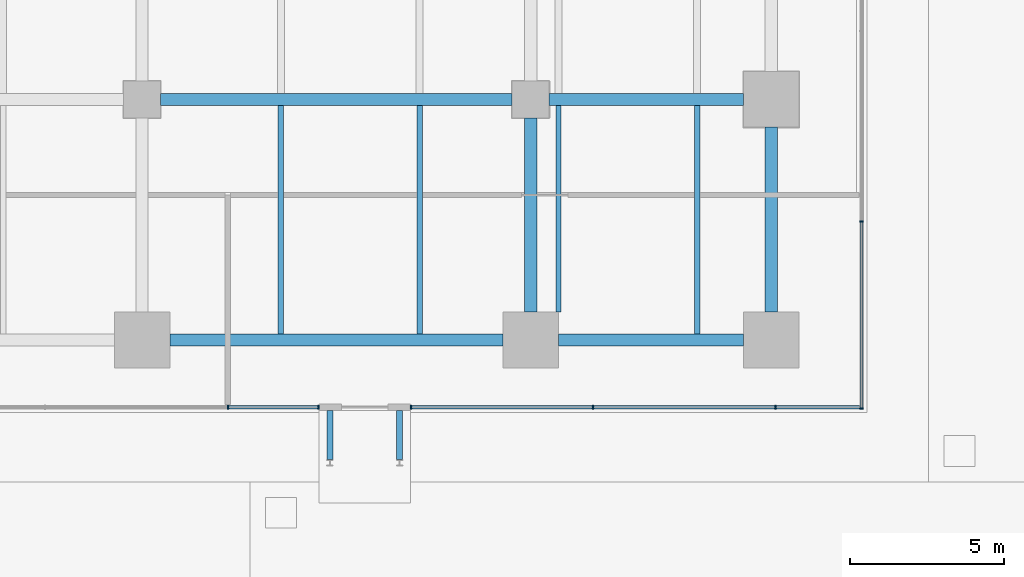
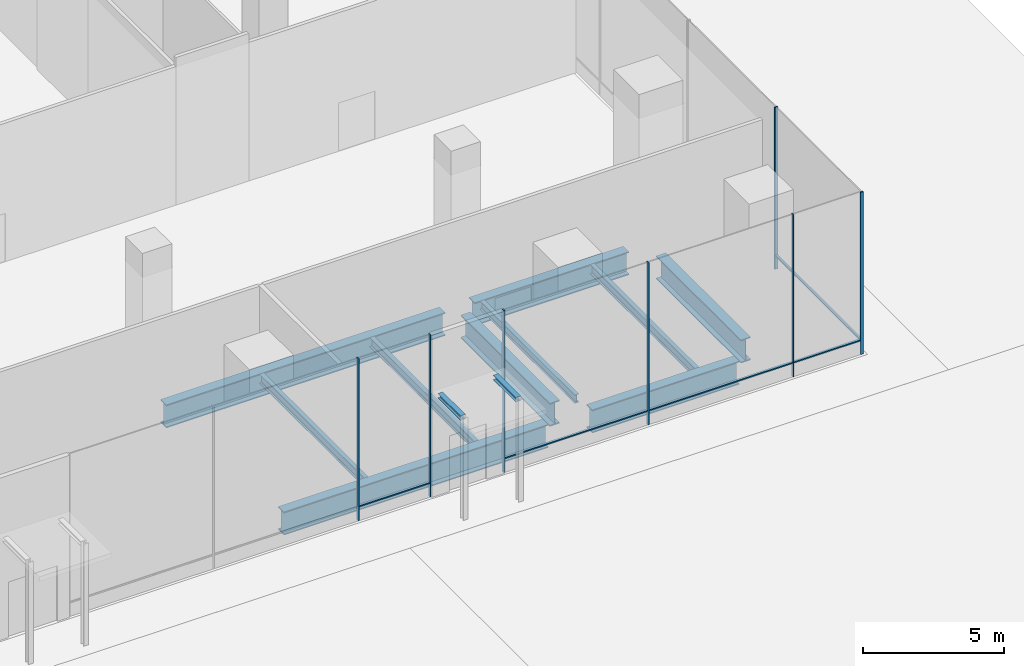
# One storey, part 18 of 41: 12 beams, 12 members, 3 elements without a shape of their own.
"""IFC4 building model written with IfcOpenShell, lengths in metres."""

from ifc_helpers import new_model, si_unit, direction, frame, origin, origin_2d, place, context, subcontext, project, spatial, rectangle, i_section, extrude, material, layer, layer_set, material_profile, profile_set, type_object, element, aggregate, save


model = new_model("IFC4")

# Units and contexts
model_context = context("Model", 3, precision=1e-05, world=origin(), true_north=direction((0.0, 1.0)))
body_context = subcontext(model_context, "Body", "Model", "MODEL_VIEW")
ifc_project = project(units=[si_unit("LENGTHUNIT", "METRE"), si_unit("AREAUNIT", "SQUARE_METRE"), si_unit("VOLUMEUNIT", "CUBIC_METRE"), si_unit("PLANEANGLEUNIT", "RADIAN"), si_unit("MASSUNIT", "GRAM", prefix="KILO")], contexts=[model_context])

# Site, building, storey
site_placement = place(None, origin())
site = spatial("IfcSite", under=ifc_project, at=site_placement, CompositionType="ELEMENT")
building_placement = place(site_placement, origin())
building = spatial("IfcBuilding", under=site, at=building_placement, Name="Rattan Terrace Tower", CompositionType="ELEMENT")
storey_placement = place(building_placement, origin())
storey = spatial("IfcBuildingStorey", under=building, at=storey_placement, Name="L00", CompositionType="ELEMENT", Elevation=0.0)

# Beams
ifc_material_1 = material(Name="Structural steel S355", Category="steel")
ifc_material_profile_1 = material_profile(ifc_material_1, i_section(OverallWidth=0.199951171875, OverallDepth=0.199951171875, WebThickness=0.009033203125, FlangeThickness=0.014892578125, FilletRadius=0.01806640625, at=origin_2d()), Name="HE 200 B")
ifc_profile_set_1 = profile_set([ifc_material_profile_1], Name="Structural steel S355")
beam_type_1 = type_object("IfcBeamType", Name="Canopy beam HE 200 B", PredefinedType="BEAM", material=ifc_profile_set_1)
for number, where, z_axis, x_axis, name in (
    (1, (19.590087890625, -37.179931640625, 4.300048828125), (0.0, -1.0, 0.0), (1.0, 0.0, 0.0), "Canopy beam 061a"),
    (2, (21.85009765625, -37.179931640625, 4.300048828125), (0.0, -1.0, 0.0), (1.0, 0.0, 0.0), "Canopy beam 061b"),
):
    element("IfcBeam", number, at=place(storey_placement, frame(where, z_axis=z_axis, x_axis=x_axis)), inside=storey, type_object=beam_type_1, Name=name, PredefinedType="BEAM", context=body_context, shape_type="SweptSolid", body=[
        extrude(i_section(OverallWidth=0.199951171875, OverallDepth=0.199951171875, WebThickness=0.009033203125, FlangeThickness=0.014892578125, FilletRadius=0.01806640625, at=origin_2d()), origin(), (0.0, 0.0, 1.0), 1.60009765625),
    ])
ifc_material_2 = material(Name="Steel S355", Category="steel")
ifc_material_profile_2 = material_profile(ifc_material_2, i_section(OverallWidth=0.169921875, OverallDepth=0.360107421875, WebThickness=0.008056640625, FlangeThickness=0.0126953125, FilletRadius=0.01806640625, at=origin_2d()), Name="IPE 360")
ifc_profile_set_2 = profile_set([ifc_material_profile_2], Name="Steel S355")
beam_type_2 = type_object("IfcBeamType", Name="Frame floor beam IPE 360", PredefinedType="JOIST", material=ifc_profile_set_2)
beam_1_placement = place(storey_placement, frame((27.0, -34.0, -0.3798828125), z_axis=(0.0, 1.0, 0.0), x_axis=(-1.0, 0.0, 0.0)))
element("IfcBeam", 3, at=beam_1_placement, inside=storey, type_object=beam_type_2, Name="bm-L00-014", PredefinedType="JOIST", context=body_context, shape_type="SweptSolid", body=[
    extrude(i_section(OverallWidth=0.169921875, OverallDepth=0.360107421875, WebThickness=0.008056640625, FlangeThickness=0.0126953125, FilletRadius=0.01806640625, at=origin_2d()), origin(), (0.0, 0.0, 1.0), 6.699951171875),
])
ifc_material_3 = material(Name="Steel S355", Category="steel")
ifc_material_profile_3 = material_profile(ifc_material_3, i_section(OverallWidth=0.179931640625, OverallDepth=0.39990234375, WebThickness=0.008544921875, FlangeThickness=0.013427734375, FilletRadius=0.02099609375, at=origin_2d()), Name="IPE 400")
ifc_profile_set_3 = profile_set([ifc_material_profile_3], Name="Steel S355")
beam_type_3 = type_object("IfcBeamType", Name="Frame floor beam IPE 400", PredefinedType="JOIST", material=ifc_profile_set_3)
for number, where, z_axis, x_axis, name in (
    (4, (18.0, -34.699951171875, -0.39990234375), (0.0, 1.0, 0.0), (-1.0, 0.0, 0.0), "bm-L00-010"),
    (5, (22.5, -34.699951171875, -0.39990234375), (0.0, 1.0, 0.0), (-1.0, 0.0, 0.0), "bm-L00-011"),
    (6, (31.5, -34.699951171875, -0.39990234375), (0.0, 1.0, 0.0), (-1.0, 0.0, 0.0), "bm-L00-012"),
):
    element("IfcBeam", number, at=place(storey_placement, frame(where, z_axis=z_axis, x_axis=x_axis)), inside=storey, type_object=beam_type_3, Name=name, PredefinedType="JOIST", context=body_context, shape_type="SweptSolid", body=[
        extrude(i_section(OverallWidth=0.179931640625, OverallDepth=0.39990234375, WebThickness=0.008544921875, FlangeThickness=0.013427734375, FilletRadius=0.02099609375, at=origin_2d()), origin(), (0.0, 0.0, 1.0), 7.39990234375),
    ])
ifc_material_4 = material(Name="Steel S460", Category="steel")
ifc_material_profile_4 = material_profile(ifc_material_4, i_section(OverallWidth=0.39990234375, OverallDepth=1.0, WebThickness=0.01806640625, FlangeThickness=0.044921875, at=origin_2d()), Name="PG 1000x400-18-45")
ifc_profile_set_4 = profile_set([ifc_material_profile_4], Name="Steel S460")
beam_type_4 = type_object("IfcBeamType", Name="Frame podium girder PG 1000x400-18-45", PredefinedType="USERDEFINED", material=ifc_profile_set_4)
beam_2_placement = place(storey_placement, frame((14.39990234375, -34.89990234375, -0.699951171875), z_axis=(1.0, 0.0, 0.0), x_axis=(0.0, 1.0, 0.0)))
element("IfcBeam", 7, at=beam_2_placement, inside=storey, type_object=beam_type_4, Name="gdr-L00-005", ObjectType="PODIUM GIRDER", PredefinedType="USERDEFINED", context=body_context, shape_type="SweptSolid", body=[
    extrude(i_section(OverallWidth=0.39990234375, OverallDepth=1.0, WebThickness=0.01806640625, FlangeThickness=0.044921875, at=origin_2d()), origin(), (0.0, 0.0, 1.0), 10.800048828125),
])
beam_3_placement = place(storey_placement, frame((27.0, -34.89990234375, -0.699951171875), z_axis=(1.0, 0.0, 0.0), x_axis=(0.0, 1.0, 0.0)))
element("IfcBeam", 8, at=beam_3_placement, inside=storey, type_object=beam_type_4, Name="gdr-L00-006", ObjectType="PODIUM GIRDER", PredefinedType="USERDEFINED", context=body_context, shape_type="SweptSolid", body=[
    extrude(i_section(OverallWidth=0.39990234375, OverallDepth=1.0, WebThickness=0.01806640625, FlangeThickness=0.044921875, at=origin_2d()), origin(), (0.0, 0.0, 1.0), 6.0),
])
beam_4_placement = place(storey_placement, frame((26.10009765625, -34.0, -0.699951171875), z_axis=(0.0, 1.0, 0.0), x_axis=(-1.0, 0.0, 0.0)))
element("IfcBeam", 9, at=beam_4_placement, inside=storey, type_object=beam_type_4, Name="gdr-L00-012", ObjectType="PODIUM GIRDER", PredefinedType="USERDEFINED", context=body_context, shape_type="SweptSolid", body=[
    extrude(i_section(OverallWidth=0.39990234375, OverallDepth=1.0, WebThickness=0.01806640625, FlangeThickness=0.044921875, at=origin_2d()), origin(), (0.0, 0.0, 1.0), 6.300048828125),
])
beam_5_placement = place(storey_placement, frame((33.89990234375, -34.0, -0.699951171875), z_axis=(0.0, 1.0, 0.0), x_axis=(-1.0, 0.0, 0.0)))
element("IfcBeam", 10, at=beam_5_placement, inside=storey, type_object=beam_type_4, Name="gdr-L00-013", ObjectType="PODIUM GIRDER", PredefinedType="USERDEFINED", context=body_context, shape_type="SweptSolid", body=[
    extrude(i_section(OverallWidth=0.39990234375, OverallDepth=1.0, WebThickness=0.01806640625, FlangeThickness=0.044921875, at=origin_2d()), origin(), (0.0, 0.0, 1.0), 6.0),
])
beam_6_placement = place(storey_placement, frame((14.10009765625, -27.10009765625, -0.699951171875), z_axis=(1.0, 0.0, 0.0), x_axis=(0.0, 1.0, 0.0)))
element("IfcBeam", 11, at=beam_6_placement, inside=storey, type_object=beam_type_4, Name="gdr-L00-018", ObjectType="PODIUM GIRDER", PredefinedType="USERDEFINED", context=body_context, shape_type="SweptSolid", body=[
    extrude(i_section(OverallWidth=0.39990234375, OverallDepth=1.0, WebThickness=0.01806640625, FlangeThickness=0.044921875, at=origin_2d()), origin(), (0.0, 0.0, 1.0), 11.39990234375),
])
beam_7_placement = place(storey_placement, frame((26.699951171875, -27.10009765625, -0.699951171875), z_axis=(1.0, 0.0, 0.0), x_axis=(0.0, 1.0, 0.0)))
element("IfcBeam", 12, at=beam_7_placement, inside=storey, type_object=beam_type_4, Name="gdr-L00-019", ObjectType="PODIUM GIRDER", PredefinedType="USERDEFINED", context=body_context, shape_type="SweptSolid", body=[
    extrude(i_section(OverallWidth=0.39990234375, OverallDepth=1.0, WebThickness=0.01806640625, FlangeThickness=0.044921875, at=origin_2d()), origin(), (0.0, 0.0, 1.0), 6.300048828125),
])

# Curtain wall, members
ifc_material_5 = material(Name="Aluminium and glass", Category="aluminium")
ifc_layer = layer(ifc_material_5, 0.1201171875)
ifc_layer_set = layer_set([ifc_layer], Name="Station Storefront Curtain Wall")
curtain_wall_type = type_object("IfcCurtainWallType", Name="Station Storefront Curtain Wall", PredefinedType="NOTDEFINED", material=ifc_layer_set)
curtain_wall_1_placement = place(storey_placement, origin())
curtain_wall_1 = element("IfcCurtainWall", 13, at=curtain_wall_1_placement, inside=storey, type_object=curtain_wall_type, Name="Storefront curtain wall L00-1", PredefinedType="NOTDEFINED")
ifc_material_6 = material(Name="Aluminium", Category="aluminium")
ifc_material_profile_5 = material_profile(ifc_material_6, rectangle(XDim=0.050048828125, YDim=0.1201171875, at=origin_2d()), Name="Aluminium 50x120")
ifc_profile_set_5 = profile_set([ifc_material_profile_5], Name="Aluminium")
member_type_1 = type_object("IfcMemberType", Name="Storefront CW Mullion 50x120", PredefinedType="MULLION", material=ifc_profile_set_5)
member_1_placement = place(storey_placement, frame((36.830078125, -37.114990234375, 0.0), z_axis=(0.0, 0.0, 1.0), x_axis=(0.0, 1.0, 0.0)))
member_1 = element("IfcMember", 14, at=member_1_placement, type_object=member_type_1, Name="Mullion cwl-L00-001.1", PredefinedType="MULLION", context=body_context, shape_type="SweptSolid", body=[
    extrude(rectangle(XDim=0.050048828125, YDim=0.1201171875, at=origin_2d()), origin(), (0.0, 0.0, 1.0), 7.0),
])
member_2_placement = place(storey_placement, frame((36.830078125, -31.06201171875, 0.0), z_axis=(0.0, 0.0, 1.0), x_axis=(0.0, 1.0, 0.0)))
member_2 = element("IfcMember", 15, at=member_2_placement, type_object=member_type_1, Name="Mullion cwl-L00-001.2", PredefinedType="MULLION", context=body_context, shape_type="SweptSolid", body=[
    extrude(rectangle(XDim=0.050048828125, YDim=0.1201171875, at=origin_2d()), origin(), (0.0, 0.0, 1.0), 7.0),
])

curtain_wall_2_placement = place(storey_placement, origin())
curtain_wall_2 = element("IfcCurtainWall", 16, at=curtain_wall_2_placement, inside=storey, type_object=curtain_wall_type, Name="Storefront curtain wall L00-13", PredefinedType="NOTDEFINED")
member_3_placement = place(storey_placement, frame((16.280029296875, -37.080078125, 0.0), z_axis=(0.0, 0.0, 1.0), x_axis=(1.0, 0.0, 0.0)))
member_3 = element("IfcMember", 17, at=member_3_placement, type_object=member_type_1, Name="Mullion cwl-L00-013.3", PredefinedType="MULLION", context=body_context, shape_type="SweptSolid", body=[
    extrude(rectangle(XDim=0.050048828125, YDim=0.1201171875, at=origin_2d()), origin(), (0.0, 0.0, 1.0), 7.0),
])
member_4_placement = place(storey_placement, frame((19.215087890625, -37.080078125, 0.0), z_axis=(0.0, 0.0, 1.0), x_axis=(1.0, 0.0, 0.0)))
member_4 = element("IfcMember", 18, at=member_4_placement, type_object=member_type_1, Name="Mullion cwl-L00-013.4", PredefinedType="MULLION", context=body_context, shape_type="SweptSolid", body=[
    extrude(rectangle(XDim=0.050048828125, YDim=0.1201171875, at=origin_2d()), origin(), (0.0, 0.0, 1.0), 7.0),
])

curtain_wall_3_placement = place(storey_placement, origin())
curtain_wall_3 = element("IfcCurtainWall", 19, at=curtain_wall_3_placement, inside=storey, type_object=curtain_wall_type, Name="Storefront curtain wall L00-14", PredefinedType="NOTDEFINED")
member_5_placement = place(storey_placement, frame((22.22509765625, -37.080078125, 0.0), z_axis=(0.0, 0.0, 1.0), x_axis=(1.0, 0.0, 0.0)))
member_5 = element("IfcMember", 20, at=member_5_placement, type_object=member_type_1, Name="Mullion cwl-L00-014.1", PredefinedType="MULLION", context=body_context, shape_type="SweptSolid", body=[
    extrude(rectangle(XDim=0.050048828125, YDim=0.1201171875, at=origin_2d()), origin(), (0.0, 0.0, 1.0), 7.0),
])
member_6_placement = place(storey_placement, frame((28.1201171875, -37.080078125, 0.0), z_axis=(0.0, 0.0, 1.0), x_axis=(1.0, 0.0, 0.0)))
member_6 = element("IfcMember", 21, at=member_6_placement, type_object=member_type_1, Name="Mullion cwl-L00-014.2", PredefinedType="MULLION", context=body_context, shape_type="SweptSolid", body=[
    extrude(rectangle(XDim=0.050048828125, YDim=0.1201171875, at=origin_2d()), origin(), (0.0, 0.0, 1.0), 7.0),
])
member_7_placement = place(storey_placement, frame((34.0400390625, -37.080078125, 0.0), z_axis=(0.0, 0.0, 1.0), x_axis=(1.0, 0.0, 0.0)))
member_7 = element("IfcMember", 22, at=member_7_placement, type_object=member_type_1, Name="Mullion cwl-L00-014.3", PredefinedType="MULLION", context=body_context, shape_type="SweptSolid", body=[
    extrude(rectangle(XDim=0.050048828125, YDim=0.1201171875, at=origin_2d()), origin(), (0.0, 0.0, 1.0), 7.0),
])

# Member
ifc_material_7 = material(Name="Aluminium", Category="aluminium")
ifc_material_profile_6 = material_profile(ifc_material_7, rectangle(XDim=0.10009765625, YDim=0.050048828125, at=origin_2d()), Name="Aluminium 100x50")
ifc_profile_set_6 = profile_set([ifc_material_profile_6], Name="Aluminium")
member_type_2 = type_object("IfcMemberType", Name="Storefront CW Transom 100x50", PredefinedType="USERDEFINED", material=ifc_profile_set_6)
member_8_placement = place(storey_placement, frame((36.830078125, -37.090087890625, 0.60009765625), z_axis=(0.0, 1.0, 0.0), x_axis=(-1.0, 0.0, 0.0)))
member_8 = element("IfcMember", 23, at=member_8_placement, type_object=member_type_2, Name="Transom cwl-L00-001.1", ObjectType="TRANSOM", PredefinedType="USERDEFINED", context=body_context, shape_type="SweptSolid", body=[
    extrude(rectangle(XDim=0.10009765625, YDim=0.050048828125, at=origin_2d()), origin(), (0.0, 0.0, 1.0), 6.003173828125),
])

aggregate(curtain_wall_1, [member_1, member_2, member_8])

member_9_placement = place(storey_placement, frame((16.304931640625, -37.080078125, 0.60009765625), z_axis=(1.0, 0.0, 0.0), x_axis=(0.0, 1.0, 0.0)))
member_9 = element("IfcMember", 24, at=member_9_placement, type_object=member_type_2, Name="Transom cwl-L00-013.3", ObjectType="TRANSOM", PredefinedType="USERDEFINED", context=body_context, shape_type="SweptSolid", body=[
    extrude(rectangle(XDim=0.10009765625, YDim=0.050048828125, at=origin_2d()), origin(), (0.0, 0.0, 1.0), 2.885009765625),
])

aggregate(curtain_wall_2, [member_3, member_4, member_9])

member_10_placement = place(storey_placement, frame((22.25, -37.080078125, 0.60009765625), z_axis=(1.0, 0.0, 0.0), x_axis=(0.0, 1.0, 0.0)))
member_10 = element("IfcMember", 25, at=member_10_placement, type_object=member_type_2, Name="Transom cwl-L00-014.1", ObjectType="TRANSOM", PredefinedType="USERDEFINED", context=body_context, shape_type="SweptSolid", body=[
    extrude(rectangle(XDim=0.10009765625, YDim=0.050048828125, at=origin_2d()), origin(), (0.0, 0.0, 1.0), 5.844970703125),
])

member_11_placement = place(storey_placement, frame((28.14501953125, -37.080078125, 0.60009765625), z_axis=(1.0, 0.0, 0.0), x_axis=(0.0, 1.0, 0.0)))
member_11 = element("IfcMember", 26, at=member_11_placement, type_object=member_type_2, Name="Transom cwl-L00-014.2", ObjectType="TRANSOM", PredefinedType="USERDEFINED", context=body_context, shape_type="SweptSolid", body=[
    extrude(rectangle(XDim=0.10009765625, YDim=0.050048828125, at=origin_2d()), origin(), (0.0, 0.0, 1.0), 5.869873046875),
])

member_12_placement = place(storey_placement, frame((34.06494140625, -37.080078125, 0.60009765625), z_axis=(1.0, 0.0, 0.0), x_axis=(0.0, 1.0, 0.0)))
member_12 = element("IfcMember", 27, at=member_12_placement, type_object=member_type_2, Name="Transom cwl-L00-014.3", ObjectType="TRANSOM", PredefinedType="USERDEFINED", context=body_context, shape_type="SweptSolid", body=[
    extrude(rectangle(XDim=0.10009765625, YDim=0.050048828125, at=origin_2d()), origin(), (0.0, 0.0, 1.0), 2.705078125),
])

aggregate(curtain_wall_3, [member_5, member_6, member_7, member_10, member_11, member_12])

save(model, "model.ifc")
